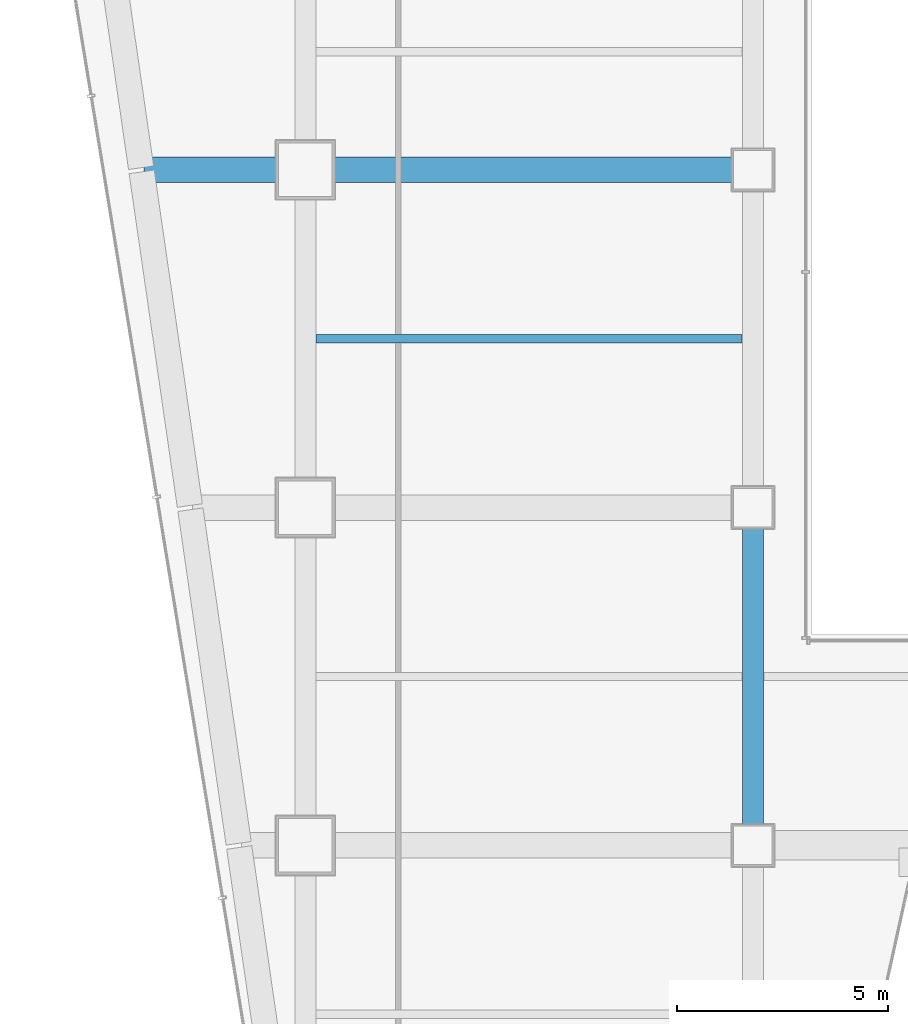
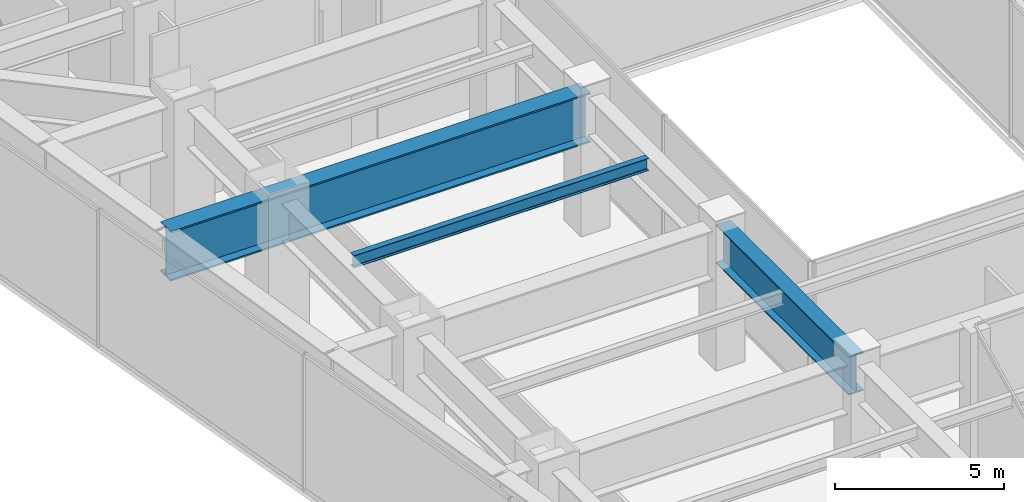
# One storey, part 14 of 42: 3 beams.
"""IFC4 building model written with IfcOpenShell, lengths in metres."""

from ifc_helpers import new_model, si_unit, direction, frame, origin, origin_2d, place, context, subcontext, project, spatial, i_section, extrude, material, material_profile, profile_set, type_object, element, save


model = new_model("IFC4")

# Units and contexts
model_context = context("Model", 3, precision=1e-05, world=origin(), true_north=direction((0.0, 1.0)))
body_context = subcontext(model_context, "Body", "Model", "MODEL_VIEW")
ifc_project = project(units=[si_unit("LENGTHUNIT", "METRE"), si_unit("AREAUNIT", "SQUARE_METRE"), si_unit("VOLUMEUNIT", "CUBIC_METRE"), si_unit("PLANEANGLEUNIT", "RADIAN"), si_unit("MASSUNIT", "GRAM", prefix="KILO")], contexts=[model_context])

# Site, building, storey
site_placement = place(None, origin())
site = spatial("IfcSite", under=ifc_project, at=site_placement, CompositionType="ELEMENT")
building_placement = place(site_placement, origin())
building = spatial("IfcBuilding", under=site, at=building_placement, Name="Saevonmaru Cultural Tower", CompositionType="ELEMENT")
storey_placement = place(building_placement, frame((0.0, 0.0, 33.0)))
storey = spatial("IfcBuildingStorey", under=building, at=storey_placement, Name="L06", CompositionType="ELEMENT", Elevation=33.0)

# Beams
ifc_material_1 = material(Name="Steel SM355", Category="steel")
ifc_material_profile_1 = material_profile(ifc_material_1, i_section(OverallWidth=0.199951171875, OverallDepth=0.449951171875, WebThickness=0.009033203125, FlangeThickness=0.013916015625, FilletRadius=0.01806640625, at=origin_2d()), Name="H-450x200x9x14")
ifc_profile_set_1 = profile_set([ifc_material_profile_1], Name="Steel SM355")
beam_type_1 = type_object("IfcBeamType", Name="BM-J-H450", PredefinedType="JOIST", material=ifc_profile_set_1)
beam_1_placement = place(storey_placement, frame((12.4580078125, 28.0, 4.72509765625), z_axis=(1.0, 0.0, 0.0), x_axis=(0.0, 1.0, 0.0)))
element("IfcBeam", 1, at=beam_1_placement, inside=storey, type_object=beam_type_1, Name="L06 Secondary Floor Joist JW-3", PredefinedType="JOIST", context=body_context, shape_type="SweptSolid", body=[
    extrude(i_section(OverallWidth=0.199951171875, OverallDepth=0.449951171875, WebThickness=0.009033203125, FlangeThickness=0.013916015625, FilletRadius=0.01806640625, at=origin_2d()), origin(), (0.0, 0.0, 1.0), 10.083984375),
])
ifc_material_2 = material(Name="Steel HSA600 (600 MPa)", Category="steel")
ifc_material_profile_2 = material_profile(ifc_material_2, i_section(OverallWidth=0.5, OverallDepth=1.39990234375, WebThickness=0.02392578125, FlangeThickness=0.044921875, at=origin_2d()), Name="PG-1400x500x24x45")
ifc_profile_set_2 = profile_set([ifc_material_profile_2], Name="Steel HSA600 (600 MPa)")
beam_type_2 = type_object("IfcBeamType", Name="BM-TG-PG1400", PredefinedType="BEAM", material=ifc_profile_set_2)
beam_2_placement = place(storey_placement, frame((22.800048828125, 16.06005859375, 4.25), z_axis=(0.0, 1.0, 0.0), x_axis=(-1.0, 0.0, 0.0)))
element("IfcBeam", 2, at=beam_2_placement, inside=storey, type_object=beam_type_2, Name="L06 Podium Girder NS2-3", PredefinedType="BEAM", context=body_context, shape_type="SweptSolid", body=[
    extrude(i_section(OverallWidth=0.5, OverallDepth=1.39990234375, WebThickness=0.02392578125, FlangeThickness=0.044921875, at=origin_2d()), origin(), (0.0, 0.0, 1.0), 7.8798828125),
])
ifc_material_profile_3 = material_profile(ifc_material_2, i_section(OverallWidth=0.60009765625, OverallDepth=1.800048828125, WebThickness=0.028076171875, FlangeThickness=0.054931640625, at=origin_2d()), Name="PG-1800x600x28x55")
ifc_profile_set_3 = profile_set([ifc_material_profile_3], Name="Steel HSA600 (600 MPa)")
beam_type_3 = type_object("IfcBeamType", Name="BM-TG-PG1800", PredefinedType="BEAM", material=ifc_profile_set_3)
beam_3_placement = place(storey_placement, frame((8.376953125, 32.0, 4.050048828125), z_axis=(1.0, 0.0, 0.0), x_axis=(0.0, 1.0, 0.0)))
element("IfcBeam", 3, at=beam_3_placement, inside=storey, type_object=beam_type_3, Name="L06 Transfer Plate Girder W-4", PredefinedType="BEAM", context=body_context, shape_type="SweptSolid", body=[
    extrude(i_section(OverallWidth=0.60009765625, OverallDepth=1.800048828125, WebThickness=0.028076171875, FlangeThickness=0.054931640625, at=origin_2d()), origin(), (0.0, 0.0, 1.0), 14.363037109375),
])

save(model, "model.ifc")
